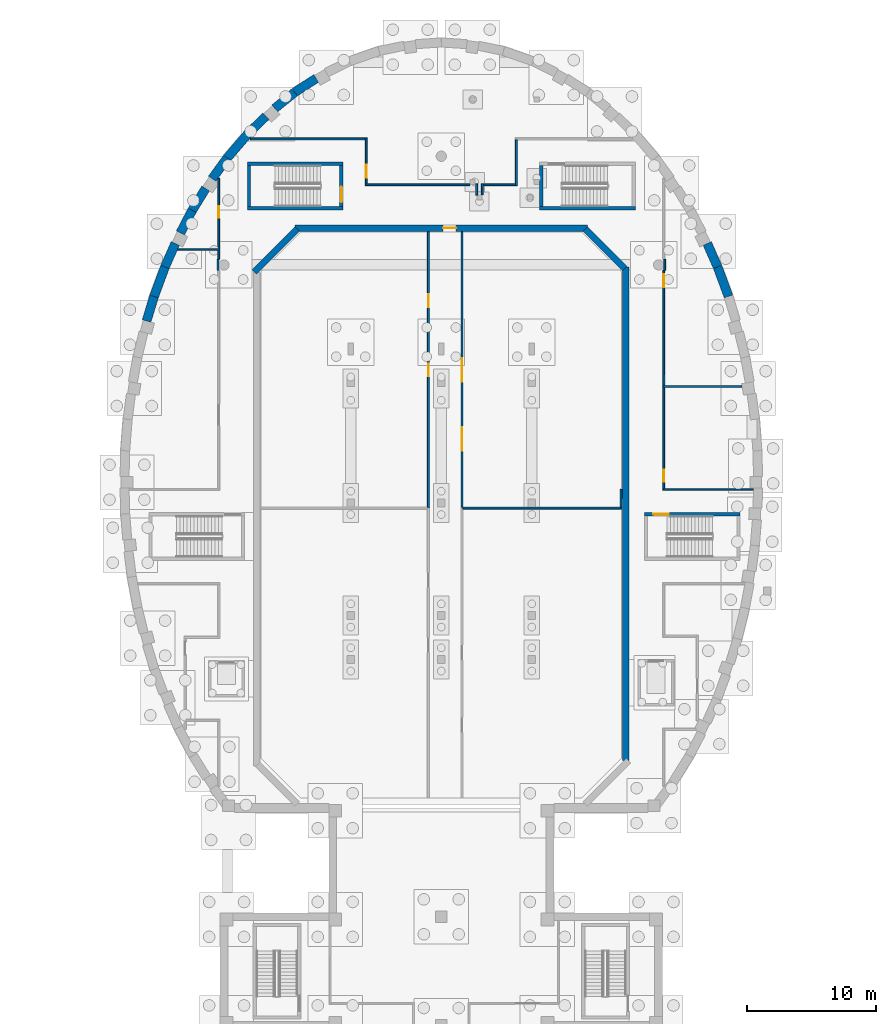
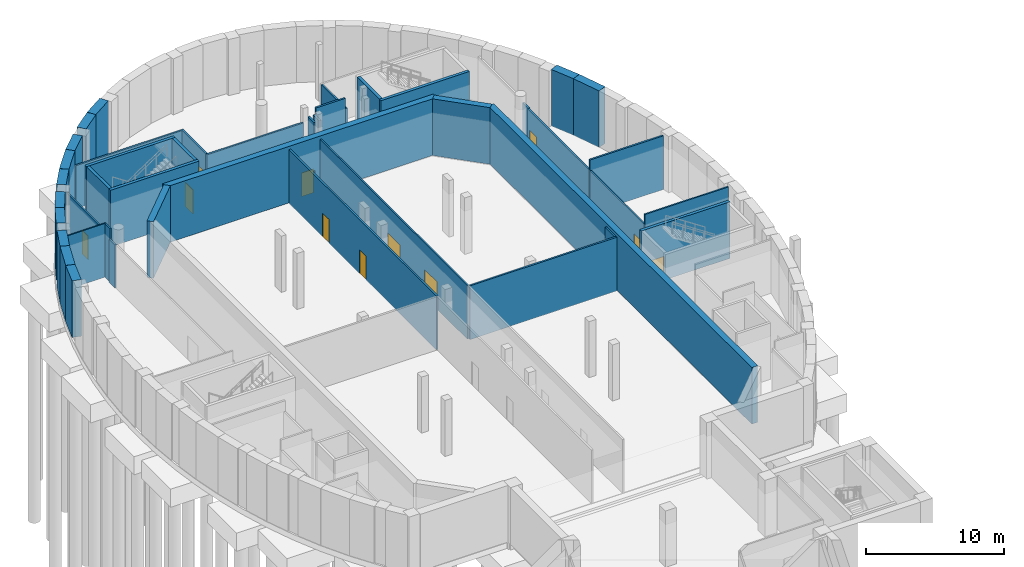
# One storey, part 15 of 33: 43 walls, 11 doors, 11 openings.
"""IFC4 building model written with IfcOpenShell, lengths in metres."""

from ifc_helpers import new_model, si_unit, direction, frame, frame_2d, origin, place, context, subcontext, project, spatial, rectangle, extrude, material, layer, layer_set, type_object, element, fill, save


model = new_model("IFC4")

# Units and contexts
model_context = context("Model", 3, precision=1e-05, world=origin(), true_north=direction((0.0, 1.0)))
body_context = subcontext(model_context, "Body", "Model", "MODEL_VIEW")
ifc_project = project(units=[si_unit("LENGTHUNIT", "METRE"), si_unit("AREAUNIT", "SQUARE_METRE"), si_unit("VOLUMEUNIT", "CUBIC_METRE"), si_unit("PLANEANGLEUNIT", "RADIAN"), si_unit("MASSUNIT", "GRAM", prefix="KILO")], contexts=[model_context])

# Site, building, storey
site_placement = place(None, origin())
site = spatial("IfcSite", under=ifc_project, at=site_placement, CompositionType="ELEMENT")
building_placement = place(site_placement, origin())
building = spatial("IfcBuilding", under=site, at=building_placement, Name="Larchfold Concert Hall", CompositionType="ELEMENT")
storey_placement = place(building_placement, frame((0.0, 0.0, -5.0)))
storey = spatial("IfcBuildingStorey", under=building, at=storey_placement, Name="B1", CompositionType="ELEMENT", Elevation=-5.0)

# Wall, openings, doors
ifc_material_1 = material(Name="Plasterboard partition on steel studs", Category="steel")
ifc_layer_1 = layer(ifc_material_1, 0.125)
ifc_layer_set_1 = layer_set([ifc_layer_1], Name="Plasterboard partition on steel studs")
wall_type_1 = type_object("IfcWallType", Name="Corridor partition 125 EI 60", PredefinedType="PARTITIONING", material=ifc_layer_set_1)
wall_1_placement = place(storey_placement, frame((44.199951171875, 103.949951171875, 0.0), z_axis=(0.0, 0.0, 1.0), x_axis=(0.0, -1.0, 0.0)))
wall_1 = element("IfcWall", 1, at=wall_1_placement, inside=storey, type_object=wall_type_1, Name="Partition IW0005", PredefinedType="PARTITIONING", context=body_context, shape_type="SweptSolid", body=[
    extrude(rectangle(XDim=21.27490234375, YDim=0.125, at=frame_2d((10.637451171875, 0.0))), origin(), (0.0, 0.0, 1.0), 4.75),
])
opening_1_placement = place(wall_1_placement, frame((9.764892578125, 0.0, 0.0)))
opening_1 = element("IfcOpeningElement", 2, at=opening_1_placement, cuts=wall_1, Name="Opening D-B1-107", PredefinedType="OPENING", context=body_context, shape_type="SweptSolid", body=[
    extrude(rectangle(XDim=1.800048828125, YDim=2.39990234375, at=frame_2d((0.89990234375, 1.199951171875))), frame((0.0, 0.072509765625, 0.0), z_axis=(0.0, -1.0, 0.0), x_axis=(1.0, 0.0, 0.0)), (0.0, 0.0, 1.0), 0.14501953125),
])
opening_2_placement = place(wall_1_placement, frame((15.107421875, 0.0, 0.0)))
opening_2 = element("IfcOpeningElement", 3, at=opening_2_placement, cuts=wall_1, Name="Opening D-B1-108", PredefinedType="OPENING", context=body_context, shape_type="SweptSolid", body=[
    extrude(rectangle(XDim=1.800048828125, YDim=2.39990234375, at=frame_2d((0.89990234375, 1.199951171875))), frame((0.0, 0.072509765625, 0.0), z_axis=(0.0, -1.0, 0.0), x_axis=(1.0, 0.0, 0.0)), (0.0, 0.0, 1.0), 0.14501953125),
])
ifc_material_2 = material(Name="Timber door leaf", Category="wood")
door_type_1 = type_object("IfcDoorType", Name="Stage and workshop door pair 1800 x 2400 FD30S", OperationType="SINGLE_SWING_LEFT", PredefinedType="DOOR", material=ifc_material_2)
door_1_placement = place(opening_1_placement, origin())
door_1 = element("IfcDoor", 4, at=door_1_placement, inside=storey, type_object=door_type_1, Name="Door D-B1-107", OperationType="DOUBLE_DOOR_SINGLE_SWING", OverallHeight=2.39990234375, OverallWidth=1.800048828125, PredefinedType="DOOR", context=body_context, shape_type="SweptSolid", body=[
    extrude(rectangle(XDim=1.800048828125, YDim=2.39990234375, at=frame_2d((0.89990234375, 1.199951171875))), frame((0.0, 0.02490234375, 0.0), z_axis=(0.0, -1.0, 0.0), x_axis=(1.0, 0.0, 0.0)), (0.0, 0.0, 1.0), 0.050048828125),
])
fill(opening_1, door_1)
door_2_placement = place(opening_2_placement, origin())
door_2 = element("IfcDoor", 5, at=door_2_placement, inside=storey, type_object=door_type_1, Name="Door D-B1-108", OperationType="DOUBLE_DOOR_SINGLE_SWING", OverallHeight=2.39990234375, OverallWidth=1.800048828125, PredefinedType="DOOR", context=body_context, shape_type="SweptSolid", body=[
    extrude(rectangle(XDim=1.800048828125, YDim=2.39990234375, at=frame_2d((0.89990234375, 1.199951171875))), frame((0.0, 0.02490234375, 0.0), z_axis=(0.0, -1.0, 0.0), x_axis=(1.0, 0.0, 0.0)), (0.0, 0.0, 1.0), 0.050048828125),
])
fill(opening_2, door_2)

# Wall
wall_2_placement = place(storey_placement, frame((66.736083984375, 84.050048828125, 0.0), z_axis=(0.0, 0.0, 1.0), x_axis=(-1.0, 0.0, 0.0)))
element("IfcWall", 6, at=wall_2_placement, inside=storey, type_object=wall_type_1, Name="Partition IW0021", PredefinedType="PARTITIONING", context=body_context, shape_type="SweptSolid", body=[
    extrude(rectangle(XDim=6.99853515625, YDim=0.125, at=frame_2d((3.499267578125, 0.0))), origin(), (0.0, 0.0, 1.0), 4.75),
])

# Wall, opening, door
wall_3_placement = place(storey_placement, frame((59.800048828125, 84.112548828125, 0.0), z_axis=(0.0, 0.0, 1.0), x_axis=(0.0, 1.0, 0.0)))
wall_3 = element("IfcWall", 7, at=wall_3_placement, inside=storey, type_object=wall_type_1, Name="Partition IW0022", PredefinedType="PARTITIONING", context=body_context, shape_type="SweptSolid", body=[
    extrude(rectangle(XDim=7.8125, YDim=0.125, at=frame_2d((3.90625, 0.0))), origin(), (0.0, 0.0, 1.0), 3.800048828125),
])
opening_3_placement = place(wall_3_placement, frame((0.53515625, 0.0, 0.0)))
opening_3 = element("IfcOpeningElement", 8, at=opening_3_placement, cuts=wall_3, Name="Opening D-B1-111", PredefinedType="OPENING", context=body_context, shape_type="SweptSolid", body=[
    extrude(rectangle(XDim=0.89990234375, YDim=2.10009765625, at=frame_2d((0.449951171875, 1.050048828125))), frame((0.0, 0.072509765625, 0.0), z_axis=(0.0, -1.0, 0.0), x_axis=(1.0, 0.0, 0.0)), (0.0, 0.0, 1.0), 0.14501953125),
])
ifc_material_3 = material(Name="Timber door leaf", Category="wood")
door_type_2 = type_object("IfcDoorType", Name="Public toilet door 900 x 2100 FD30S", OperationType="SINGLE_SWING_LEFT", PredefinedType="DOOR", material=ifc_material_3)
door_3_placement = place(opening_3_placement, origin())
door_3 = element("IfcDoor", 9, at=door_3_placement, inside=storey, type_object=door_type_2, Name="Door D-B1-111", OperationType="SINGLE_SWING_LEFT", OverallHeight=2.10009765625, OverallWidth=0.89990234375, PredefinedType="DOOR", context=body_context, shape_type="SweptSolid", body=[
    extrude(rectangle(XDim=0.89990234375, YDim=2.10009765625, at=frame_2d((0.449951171875, 1.050048828125))), frame((0.0, 0.02490234375, 0.0), z_axis=(0.0, -1.0, 0.0), x_axis=(1.0, 0.0, 0.0)), (0.0, 0.0, 1.0), 0.050048828125),
])
fill(opening_3, door_3)

# Wall
wall_4_placement = place(storey_placement, frame((25.39892578125, 102.550048828125, 0.0), z_axis=(0.0, 0.0, 1.0), x_axis=(0.0, -1.0, 0.0)))
element("IfcWall", 10, at=wall_4_placement, inside=storey, type_object=wall_type_1, Name="Partition IW0026", PredefinedType="PARTITIONING", context=body_context, shape_type="SweptSolid", body=[
    extrude(rectangle(XDim=0.730224609375, YDim=0.125, at=frame_2d((0.365234375, 0.0))), origin(), (0.0, 0.0, 1.0), 4.75),
])

# Wall, opening, door
wall_5_placement = place(storey_placement, frame((25.39990234375, 108.10595703125, 0.0), z_axis=(0.0, 0.0, 1.0), x_axis=(0.0, -1.0, 0.0)))
wall_5 = element("IfcWall", 11, at=wall_5_placement, inside=storey, type_object=wall_type_1, Name="Partition IW0029", PredefinedType="PARTITIONING", context=body_context, shape_type="SweptSolid", body=[
    extrude(rectangle(XDim=5.4560546875, YDim=0.125, at=frame_2d((2.72802734375, 0.0))), origin(), (0.0, 0.0, 1.0), 4.099853515625),
])
opening_4_placement = place(wall_5_placement, frame((2.165771484375, 0.0, 0.0)))
opening_4 = element("IfcOpeningElement", 12, at=opening_4_placement, cuts=wall_5, Name="Opening D-B1-114", PredefinedType="OPENING", context=body_context, shape_type="SweptSolid", body=[
    extrude(rectangle(XDim=0.89990234375, YDim=2.10009765625, at=frame_2d((0.449951171875, 1.050048828125))), frame((0.0, 0.072509765625, 0.0), z_axis=(0.0, -1.0, 0.0), x_axis=(1.0, 0.0, 0.0)), (0.0, 0.0, 1.0), 0.14501953125),
])
door_4_placement = place(opening_4_placement, origin())
door_4 = element("IfcDoor", 13, at=door_4_placement, inside=storey, type_object=door_type_2, Name="Door D-B1-114", OperationType="SINGLE_SWING_LEFT", OverallHeight=2.10009765625, OverallWidth=0.89990234375, PredefinedType="DOOR", context=body_context, shape_type="SweptSolid", body=[
    extrude(rectangle(XDim=0.89990234375, YDim=2.10009765625, at=frame_2d((0.449951171875, 1.050048828125))), frame((0.0, 0.02490234375, 0.0), z_axis=(0.0, -1.0, 0.0), x_axis=(1.0, 0.0, 0.0)), (0.0, 0.0, 1.0), 0.050048828125),
])
fill(opening_4, door_4)

# Walls
wall_6_placement = place(storey_placement, frame((25.333984375, 101.81982421875, 0.0), z_axis=(0.0, 0.0, 1.0), x_axis=(0.000290697662, -0.999999957747, 0.0)))
element("IfcWall", 14, at=wall_6_placement, inside=storey, type_object=wall_type_1, Name="Partition IW0148", PredefinedType="PARTITIONING", context=body_context, shape_type="SweptSolid", body=[
    extrude(rectangle(XDim=0.83984375, YDim=0.125, at=frame_2d((0.419921875, 0.0))), origin(), (0.0, 0.0, 1.0), 3.800048828125),
])
ifc_material_4 = material(Name="Plasterboard partition on steel studs", Category="steel")
ifc_layer_2 = layer(ifc_material_4, 0.14990234375)
ifc_layer_set_2 = layer_set([ifc_layer_2], Name="Plasterboard partition on steel studs")
wall_type_2 = type_object("IfcWallType", Name="Shaft and plant partition 150 EI 120", PredefinedType="PARTITIONING", material=ifc_layer_set_2)
wall_7_placement = place(storey_placement, frame((44.27490234375, 82.60009765625, 0.0), z_axis=(0.0, 0.0, 1.0), x_axis=(0.999999995068, -9.9316701e-05, 0.0)))
element("IfcWall", 15, at=wall_7_placement, inside=storey, type_object=wall_type_2, Name="Partition IW0002", PredefinedType="PARTITIONING", context=body_context, shape_type="SweptSolid", body=[
    extrude(rectangle(XDim=12.291015625, YDim=0.14990234375, at=frame_2d((6.1455078125, 0.0))), origin(), (0.0, 0.0, 1.0), 4.75),
])
wall_8_placement = place(storey_placement, frame((56.491455078125, 82.674072265625, 0.0), z_axis=(0.0, 0.0, 1.0), x_axis=(0.006924549889, 0.999976025017, 0.0)))
element("IfcWall", 16, at=wall_8_placement, inside=storey, type_object=wall_type_2, Name="Partition IW0003", PredefinedType="PARTITIONING", context=body_context, shape_type="SweptSolid", body=[
    extrude(rectangle(XDim=1.375, YDim=0.14990234375, at=frame_2d((0.6875, 0.0))), origin(), (0.0, 0.0, 1.0), 4.75),
])

# Wall, openings, doors
wall_9_placement = place(storey_placement, frame((41.60009765625, 82.6201171875, 0.0), z_axis=(0.0, 0.0, 1.0), x_axis=(0.0, 1.0, 0.0)))
wall_9 = element("IfcWall", 17, at=wall_9_placement, inside=storey, type_object=wall_type_2, Name="Partition IW0006", PredefinedType="PARTITIONING", context=body_context, shape_type="SweptSolid", body=[
    extrude(rectangle(XDim=21.329833984375, YDim=0.14990234375, at=frame_2d((10.6650390625, 0.0))), origin(), (0.0, 0.0, 1.0), 4.75),
])
opening_5_placement = place(wall_9_placement, frame((10.155029296875, 0.0, 0.0)))
opening_5 = element("IfcOpeningElement", 18, at=opening_5_placement, cuts=wall_9, Name="Opening D-B1-109", PredefinedType="OPENING", context=body_context, shape_type="SweptSolid", body=[
    extrude(rectangle(XDim=1.0, YDim=2.10009765625, at=frame_2d((0.5, 1.050048828125))), frame((0.0, 0.0849609375, 0.0), z_axis=(0.0, -1.0, 0.0), x_axis=(1.0, 0.0, 0.0)), (0.0, 0.0, 1.0), 0.169921875),
])
opening_6_placement = place(wall_9_placement, frame((15.50244140625, 0.0, 0.0)))
opening_6 = element("IfcOpeningElement", 19, at=opening_6_placement, cuts=wall_9, Name="Opening D-B1-110", PredefinedType="OPENING", context=body_context, shape_type="SweptSolid", body=[
    extrude(rectangle(XDim=1.0, YDim=2.10009765625, at=frame_2d((0.5, 1.050048828125))), frame((0.0, 0.0849609375, 0.0), z_axis=(0.0, -1.0, 0.0), x_axis=(1.0, 0.0, 0.0)), (0.0, 0.0, 1.0), 0.169921875),
])
ifc_material_5 = material(Name="Timber door leaf", Category="wood")
door_type_3 = type_object("IfcDoorType", Name="Plant room door 1000 x 2100 FD60", OperationType="SINGLE_SWING_LEFT", PredefinedType="DOOR", material=ifc_material_5)
door_5_placement = place(opening_5_placement, origin())
door_5 = element("IfcDoor", 20, at=door_5_placement, inside=storey, type_object=door_type_3, Name="Door D-B1-109", OperationType="SINGLE_SWING_RIGHT", OverallHeight=2.10009765625, OverallWidth=1.0, PredefinedType="DOOR", context=body_context, shape_type="SweptSolid", body=[
    extrude(rectangle(XDim=1.0, YDim=2.10009765625, at=frame_2d((0.5, 1.050048828125))), frame((0.0, 0.02490234375, 0.0), z_axis=(0.0, -1.0, 0.0), x_axis=(1.0, 0.0, 0.0)), (0.0, 0.0, 1.0), 0.050048828125),
])
fill(opening_5, door_5)
door_6_placement = place(opening_6_placement, origin())
door_6 = element("IfcDoor", 21, at=door_6_placement, inside=storey, type_object=door_type_3, Name="Door D-B1-110", OperationType="SINGLE_SWING_RIGHT", OverallHeight=2.10009765625, OverallWidth=1.0, PredefinedType="DOOR", context=body_context, shape_type="SweptSolid", body=[
    extrude(rectangle(XDim=1.0, YDim=2.10009765625, at=frame_2d((0.5, 1.050048828125))), frame((0.0, 0.02490234375, 0.0), z_axis=(0.0, -1.0, 0.0), x_axis=(1.0, 0.0, 0.0)), (0.0, 0.0, 1.0), 0.050048828125),
])
fill(opening_6, door_6)

# Wall
wall_10_placement = place(storey_placement, frame((59.737548828125, 92.0, 0.0), z_axis=(0.0, 0.0, 1.0), x_axis=(1.0, 0.0, 0.0)))
element("IfcWall", 22, at=wall_10_placement, inside=storey, type_object=wall_type_2, Name="Partition IW0020", PredefinedType="PARTITIONING", context=body_context, shape_type="SweptSolid", body=[
    extrude(rectangle(XDim=6.1279296875, YDim=0.14990234375, at=frame_2d((3.06396484375, 0.0))), origin(), (0.0, 0.0, 1.0), 4.75),
])

# Wall, opening, door
wall_11_placement = place(storey_placement, frame((59.801025390625, 92.074951171875, 0.0), z_axis=(0.0, 0.0, 1.0), x_axis=(-5.4832077e-05, 0.999999998497, 0.0)))
wall_11 = element("IfcWall", 23, at=wall_11_placement, inside=storey, type_object=wall_type_2, Name="Partition IW0023", PredefinedType="PARTITIONING", context=body_context, shape_type="SweptSolid", body=[
    extrude(rectangle(XDim=8.905029296875, YDim=0.14990234375, at=frame_2d((4.45263671875, 0.0))), origin(), (0.0, 0.0, 1.0), 3.800048828125),
])
opening_7_placement = place(wall_11_placement, frame((7.615478515625, 0.0, 0.0)))
opening_7 = element("IfcOpeningElement", 24, at=opening_7_placement, cuts=wall_11, Name="Opening D-B1-112", PredefinedType="OPENING", context=body_context, shape_type="SweptSolid", body=[
    extrude(rectangle(XDim=1.0, YDim=2.10009765625, at=frame_2d((0.5, 1.050048828125))), frame((0.0, 0.0849609375, 0.0), z_axis=(0.0, -1.0, 0.0), x_axis=(1.0, 0.0, 0.0)), (0.0, 0.0, 1.0), 0.169921875),
])
door_7_placement = place(opening_7_placement, origin())
door_7 = element("IfcDoor", 25, at=door_7_placement, inside=storey, type_object=door_type_3, Name="Door D-B1-112", OperationType="SINGLE_SWING_RIGHT", OverallHeight=2.10009765625, OverallWidth=1.0, PredefinedType="DOOR", context=body_context, shape_type="SweptSolid", body=[
    extrude(rectangle(XDim=1.0, YDim=2.10009765625, at=frame_2d((0.5, 1.050048828125))), frame((0.0, 0.02490234375, 0.0), z_axis=(0.0, -1.0, 0.0), x_axis=(1.0, 0.0, 0.0)), (0.0, 0.0, 1.0), 0.050048828125),
])
fill(opening_7, door_7)

# Walls
wall_12_placement = place(storey_placement, frame((45.7705078125, 107.674072265625, 0.0), z_axis=(0.0, 0.0, 1.0), x_axis=(-0.006235706426, -0.999980557794, 0.0)))
element("IfcWall", 26, at=wall_12_placement, inside=storey, type_object=wall_type_2, Name="Partition IW0030", PredefinedType="PARTITIONING", context=body_context, shape_type="SweptSolid", body=[
    extrude(rectangle(XDim=0.861328125, YDim=0.14990234375, at=frame_2d((0.4306640625, 0.0))), origin(), (0.0, 0.0, 1.0), 4.099853515625),
])
wall_13_placement = place(storey_placement, frame((45.330078125, 106.802734375, 0.0), z_axis=(0.0, 0.0, 1.0), x_axis=(0.0, 1.0, 0.0)))
element("IfcWall", 27, at=wall_13_placement, inside=storey, type_object=wall_type_2, Name="Partition IW0031", PredefinedType="PARTITIONING", context=body_context, shape_type="SweptSolid", body=[
    extrude(rectangle(XDim=0.872314453125, YDim=0.14990234375, at=frame_2d((0.43603515625, 0.0))), origin(), (0.0, 0.0, 1.0), 4.099853515625),
])
wall_14_placement = place(storey_placement, frame((44.809326171875, 107.60009765625, 0.0), z_axis=(0.0, 0.0, 1.0), x_axis=(-1.0, 0.0, 0.0)))
element("IfcWall", 28, at=wall_14_placement, inside=storey, type_object=wall_type_2, Name="Partition IW0032", PredefinedType="PARTITIONING", context=body_context, shape_type="SweptSolid", body=[
    extrude(rectangle(XDim=8.084228515625, YDim=0.14990234375, at=frame_2d((4.0419921875, 0.0))), origin(), (0.0, 0.0, 1.0), 3.800048828125),
])

# Wall, opening, door
wall_15_placement = place(storey_placement, frame((36.800048828125, 107.675048828125, 0.0), z_axis=(0.0, 0.0, 1.0), x_axis=(0.0, 1.0, 0.0)))
wall_15 = element("IfcWall", 29, at=wall_15_placement, inside=storey, type_object=wall_type_2, Name="Partition IW0033", PredefinedType="PARTITIONING", context=body_context, shape_type="SweptSolid", body=[
    extrude(rectangle(XDim=3.550048828125, YDim=0.14990234375, at=frame_2d((1.77490234375, 0.0))), origin(), (0.0, 0.0, 1.0), 3.800048828125),
])
opening_8_placement = place(wall_15_placement, frame((0.478759765625, 0.0, 0.0)))
opening_8 = element("IfcOpeningElement", 30, at=opening_8_placement, cuts=wall_15, Name="Opening D-B1-115", PredefinedType="OPENING", context=body_context, shape_type="SweptSolid", body=[
    extrude(rectangle(XDim=1.0, YDim=2.10009765625, at=frame_2d((0.5, 1.050048828125))), frame((0.0, 0.0849609375, 0.0), z_axis=(0.0, -1.0, 0.0), x_axis=(1.0, 0.0, 0.0)), (0.0, 0.0, 1.0), 0.169921875),
])
door_8_placement = place(opening_8_placement, origin())
door_8 = element("IfcDoor", 31, at=door_8_placement, inside=storey, type_object=door_type_3, Name="Door D-B1-115", OperationType="SINGLE_SWING_RIGHT", OverallHeight=2.10009765625, OverallWidth=1.0, PredefinedType="DOOR", context=body_context, shape_type="SweptSolid", body=[
    extrude(rectangle(XDim=1.0, YDim=2.10009765625, at=frame_2d((0.5, 1.050048828125))), frame((0.0, 0.02490234375, 0.0), z_axis=(0.0, -1.0, 0.0), x_axis=(1.0, 0.0, 0.0)), (0.0, 0.0, 1.0), 0.050048828125),
])
fill(opening_8, door_8)

# Walls
wall_16_placement = place(storey_placement, frame((36.72509765625, 111.14990234375, 0.0), z_axis=(0.0, 0.0, 1.0), x_axis=(-1.0, 0.0, 0.0)))
element("IfcWall", 32, at=wall_16_placement, inside=storey, type_object=wall_type_2, Name="Partition IW0034", PredefinedType="PARTITIONING", context=body_context, shape_type="SweptSolid", body=[
    extrude(rectangle(XDim=8.89306640625, YDim=0.14990234375, at=frame_2d((4.446533203125, 0.0))), origin(), (0.0, 0.0, 1.0), 3.800048828125),
])
wall_17_placement = place(storey_placement, frame((48.39990234375, 111.074951171875, 0.0), z_axis=(0.0, 0.0, 1.0), x_axis=(0.0, -1.0, 0.0)))
element("IfcWall", 33, at=wall_17_placement, inside=storey, type_object=wall_type_2, Name="Partition IW0036", PredefinedType="PARTITIONING", context=body_context, shape_type="SweptSolid", body=[
    extrude(rectangle(XDim=3.550048828125, YDim=0.14990234375, at=frame_2d((1.77490234375, 0.0))), origin(), (0.0, 0.0, 1.0), 3.800048828125),
])
wall_18_placement = place(storey_placement, frame((48.324951171875, 107.599853515625, 0.0), z_axis=(0.0, 0.0, 1.0), x_axis=(-0.999999956389, -0.000295333714, 0.0)))
element("IfcWall", 34, at=wall_18_placement, inside=storey, type_object=wall_type_2, Name="Partition IW0037", PredefinedType="PARTITIONING", context=body_context, shape_type="SweptSolid", body=[
    extrude(rectangle(XDim=2.47998046875, YDim=0.14990234375, at=frame_2d((1.239990234375, 0.0))), origin(), (0.0, 0.0, 1.0), 4.75),
])
wall_19_placement = place(storey_placement, frame((59.87548828125, 100.97998046875, 0.0), z_axis=(0.0, 0.0, 1.0), x_axis=(-0.000290697662, 0.999999957747, 0.0)))
element("IfcWall", 35, at=wall_19_placement, inside=storey, type_object=wall_type_2, Name="Partition IW0147", PredefinedType="PARTITIONING", context=body_context, shape_type="SweptSolid", body=[
    extrude(rectangle(XDim=0.83984375, YDim=0.14990234375, at=frame_2d((0.419921875, 0.0))), origin(), (0.0, 0.0, 1.0), 3.800048828125),
])
ifc_material_6 = material(Name="Plasterboard partition on steel studs", Category="steel")
ifc_layer_3 = layer(ifc_material_6, 0.10009765625)
ifc_layer_set_3 = layer_set([ifc_layer_3], Name="Plasterboard partition on steel studs")
wall_type_3 = type_object("IfcWallType", Name="Stud partition 100", PredefinedType="PARTITIONING", material=ifc_layer_set_3)
wall_20_placement = place(storey_placement, frame((22.23388671875, 102.60009765625, 0.0), z_axis=(0.0, 0.0, 1.0), x_axis=(1.0, 0.0, 0.0)))
element("IfcWall", 36, at=wall_20_placement, inside=storey, type_object=wall_type_3, Name="Partition IW0025", PredefinedType="PARTITIONING", context=body_context, shape_type="SweptSolid", body=[
    extrude(rectangle(XDim=3.2275390625, YDim=0.10009765625, at=frame_2d((1.61376953125, 0.0))), origin(), (0.0, 0.0, 1.0), 4.75),
])
ifc_material_7 = material(Name="Concrete C40/50", Category="concrete")
ifc_layer_4 = layer(ifc_material_7, 0.25)
ifc_layer_set_4 = layer_set([ifc_layer_4], Name="Concrete C40/50")
wall_type_4 = type_object("IfcWallType", Name="Wall RC 250 stair core", PredefinedType="SOLIDWALL", material=ifc_layer_set_4)
wall_21_placement = place(storey_placement, frame((50.199951171875, 105.77490234375, 0.0), z_axis=(0.0, 0.0, 1.0), x_axis=(1.0, 0.0, 0.0)))
element("IfcWall", 37, at=wall_21_placement, inside=storey, type_object=wall_type_4, Name="Wall W0120", PredefinedType="SOLIDWALL", context=body_context, shape_type="SweptSolid", body=[
    extrude(rectangle(XDim=7.400146484375, YDim=0.25, at=frame_2d((3.7001953125, 0.0))), origin(), (0.0, 0.0, 1.0), 5.0),
])
wall_22_placement = place(storey_placement, frame((50.324951171875, 105.89990234375, 0.0), z_axis=(0.0, 0.0, 1.0), x_axis=(0.0, 1.0, 0.0)))
element("IfcWall", 38, at=wall_22_placement, inside=storey, type_object=wall_type_4, Name="Wall W0122", PredefinedType="SOLIDWALL", context=body_context, shape_type="SweptSolid", body=[
    extrude(rectangle(XDim=3.2001953125, YDim=0.25, at=frame_2d((1.60009765625, 0.0))), origin(), (0.0, 0.0, 1.0), 5.0),
])
for number, where, z_axis, x_axis, name in (
    (39, (27.60009765625, 105.77490234375, 0.0), (0.0, 0.0, 1.0), (1.0, 0.0, 0.0), "Wall W0124"),
    (40, (27.60009765625, 109.22509765625, 0.0), (0.0, 0.0, 1.0), (1.0, 0.0, 0.0), "Wall W0125"),
):
    element("IfcWall", number, at=place(storey_placement, frame(where, z_axis=z_axis, x_axis=x_axis)), inside=storey, type_object=wall_type_4, Name=name, PredefinedType="SOLIDWALL", context=body_context, shape_type="SweptSolid", body=[
        extrude(rectangle(XDim=7.39990234375, YDim=0.25, at=frame_2d((3.699951171875, 0.0))), origin(), (0.0, 0.0, 1.0), 5.0),
    ])
wall_23_placement = place(storey_placement, frame((27.72509765625, 105.89990234375, 0.0), z_axis=(0.0, 0.0, 1.0), x_axis=(0.0, 1.0, 0.0)))
element("IfcWall", 41, at=wall_23_placement, inside=storey, type_object=wall_type_4, Name="Wall W0126", PredefinedType="SOLIDWALL", context=body_context, shape_type="SweptSolid", body=[
    extrude(rectangle(XDim=3.2001953125, YDim=0.25, at=frame_2d((1.60009765625, 0.0))), origin(), (0.0, 0.0, 1.0), 5.0),
])

# Wall, opening, door
wall_24_placement = place(storey_placement, frame((34.875, 105.89990234375, 0.0), z_axis=(0.0, 0.0, 1.0), x_axis=(0.0, 1.0, 0.0)))
wall_24 = element("IfcWall", 42, at=wall_24_placement, inside=storey, type_object=wall_type_4, Name="Wall W0127", PredefinedType="SOLIDWALL", context=body_context, shape_type="SweptSolid", body=[
    extrude(rectangle(XDim=3.2001953125, YDim=0.25, at=frame_2d((1.60009765625, 0.0))), origin(), (0.0, 0.0, 1.0), 5.0),
])
opening_9_placement = place(wall_24_placement, frame((0.35009765625, 0.0, 0.0)))
opening_9 = element("IfcOpeningElement", 43, at=opening_9_placement, cuts=wall_24, Name="Opening D-B1-148", PredefinedType="OPENING", context=body_context, shape_type="SweptSolid", body=[
    extrude(rectangle(XDim=1.199951171875, YDim=2.10009765625, at=frame_2d((0.60009765625, 1.050048828125))), frame((0.0, 0.135009765625, 0.0), z_axis=(0.0, -1.0, 0.0), x_axis=(1.0, 0.0, 0.0)), (0.0, 0.0, 1.0), 0.27001953125),
])
ifc_material_8 = material(Name="Timber door leaf", Category="wood")
door_type_4 = type_object("IfcDoorType", Name="Stair enclosure door pair 1200 x 2100 FD60", OperationType="SINGLE_SWING_LEFT", PredefinedType="DOOR", material=ifc_material_8)
door_9_placement = place(opening_9_placement, origin())
door_9 = element("IfcDoor", 44, at=door_9_placement, inside=storey, type_object=door_type_4, Name="Door D-B1-148", OperationType="DOUBLE_DOOR_SINGLE_SWING", OverallHeight=2.10009765625, OverallWidth=1.199951171875, PredefinedType="DOOR", context=body_context, shape_type="SweptSolid", body=[
    extrude(rectangle(XDim=1.199951171875, YDim=2.10009765625, at=frame_2d((0.60009765625, 1.050048828125))), frame((0.0, 0.02490234375, 0.0), z_axis=(0.0, -1.0, 0.0), x_axis=(1.0, 0.0, 0.0)), (0.0, 0.0, 1.0), 0.050048828125),
])
fill(opening_9, door_9)

wall_25_placement = place(storey_placement, frame((58.300048828125, 82.125, 0.0), z_axis=(0.0, 0.0, 1.0), x_axis=(1.0, 0.0, 0.0)))
wall_25 = element("IfcWall", 45, at=wall_25_placement, inside=storey, type_object=wall_type_4, Name="Wall W0133", PredefinedType="SOLIDWALL", context=body_context, shape_type="SweptSolid", body=[
    extrude(rectangle(XDim=7.39990234375, YDim=0.25, at=frame_2d((3.699951171875, 0.0))), origin(), (0.0, 0.0, 1.0), 5.0),
])
opening_10_placement = place(wall_25_placement, frame((0.699951171875, 0.0, 0.0)))
opening_10 = element("IfcOpeningElement", 46, at=opening_10_placement, cuts=wall_25, Name="Opening D-B1-147", PredefinedType="OPENING", context=body_context, shape_type="SweptSolid", body=[
    extrude(rectangle(XDim=1.199951171875, YDim=2.10009765625, at=frame_2d((0.60009765625, 1.050048828125))), frame((0.0, 0.135009765625, 0.0), z_axis=(0.0, -1.0, 0.0), x_axis=(1.0, 0.0, 0.0)), (0.0, 0.0, 1.0), 0.27001953125),
])
door_10_placement = place(opening_10_placement, origin())
door_10 = element("IfcDoor", 47, at=door_10_placement, inside=storey, type_object=door_type_4, Name="Door D-B1-147", OperationType="DOUBLE_DOOR_SINGLE_SWING", OverallHeight=2.10009765625, OverallWidth=1.199951171875, PredefinedType="DOOR", context=body_context, shape_type="SweptSolid", body=[
    extrude(rectangle(XDim=1.199951171875, YDim=2.10009765625, at=frame_2d((0.60009765625, 1.050048828125))), frame((0.0, 0.02490234375, 0.0), z_axis=(0.0, -1.0, 0.0), x_axis=(1.0, 0.0, 0.0)), (0.0, 0.0, 1.0), 0.050048828125),
])
fill(opening_10, door_10)

# Walls
ifc_material_9 = material(Name="Concrete C40/50", Category="concrete")
ifc_layer_5 = layer(ifc_material_9, 0.5)
ifc_layer_set_5 = layer_set([ifc_layer_5], Name="Concrete C40/50")
wall_type_5 = type_object("IfcWallType", Name="Wall RC 500 hall shell", PredefinedType="SOLIDWALL", material=ifc_layer_set_5)
wall_26_placement = place(storey_placement, frame((56.85009765625, 63.10009765625, 0.0), z_axis=(0.0, 0.0, 1.0), x_axis=(0.0, 1.0, 0.0)))
element("IfcWall", 48, at=wall_26_placement, inside=storey, type_object=wall_type_5, Name="Wall W0002", PredefinedType="SOLIDWALL", context=body_context, shape_type="SweptSolid", body=[
    extrude(rectangle(XDim=38.151123046875, YDim=0.5, at=frame_2d((19.07568359375, 0.0))), origin(), (0.0, 0.0, 1.0), 5.0),
])
wall_27_placement = place(storey_placement, frame((56.77734375, 101.122802734375, 0.0), z_axis=(0.0, 0.0, 1.0), x_axis=(-0.707106781187, 0.707106781187, 0.0)))
element("IfcWall", 49, at=wall_27_placement, inside=storey, type_object=wall_type_5, Name="Wall W0003", PredefinedType="SOLIDWALL", context=body_context, shape_type="SweptSolid", body=[
    extrude(rectangle(XDim=4.319580078125, YDim=0.5, at=frame_2d((2.15966796875, 0.0))), origin(), (0.0, 0.0, 1.0), 5.0),
])

# Wall, opening, door
wall_28_placement = place(storey_placement, frame((53.89990234375, 104.25, 0.0), z_axis=(0.0, 0.0, 1.0), x_axis=(-1.0, 0.0, 0.0)))
wall_28 = element("IfcWall", 50, at=wall_28_placement, inside=storey, type_object=wall_type_5, Name="Wall W0004", PredefinedType="SOLIDWALL", context=body_context, shape_type="SweptSolid", body=[
    extrude(rectangle(XDim=22.599853515625, YDim=0.5, at=frame_2d((11.2998046875, 0.0))), origin(), (0.0, 0.0, 1.0), 5.0),
])
opening_11_placement = place(wall_28_placement, frame((10.149658203125, 0.0, 0.0)))
opening_11 = element("IfcOpeningElement", 51, at=opening_11_placement, cuts=wall_28, Name="Opening D-B1-102", PredefinedType="OPENING", context=body_context, shape_type="SweptSolid", body=[
    extrude(rectangle(XDim=1.0, YDim=2.10009765625, at=frame_2d((0.5, 1.050048828125))), frame((0.0, 0.260009765625, 0.0), z_axis=(0.0, -1.0, 0.0), x_axis=(1.0, 0.0, 0.0)), (0.0, 0.0, 1.0), 0.52001953125),
])
ifc_material_10 = material(Name="Timber door leaf", Category="wood")
door_type_5 = type_object("IfcDoorType", Name="Room door 1000 x 2100 FD30S", OperationType="SINGLE_SWING_LEFT", PredefinedType="DOOR", material=ifc_material_10)
door_11_placement = place(opening_11_placement, origin())
door_11 = element("IfcDoor", 52, at=door_11_placement, inside=storey, type_object=door_type_5, Name="Door D-B1-102", OperationType="SINGLE_SWING_RIGHT", OverallHeight=2.10009765625, OverallWidth=1.0, PredefinedType="DOOR", context=body_context, shape_type="SweptSolid", body=[
    extrude(rectangle(XDim=1.0, YDim=2.10009765625, at=frame_2d((0.5, 1.050048828125))), frame((0.0, 0.02490234375, 0.0), z_axis=(0.0, -1.0, 0.0), x_axis=(1.0, 0.0, 0.0)), (0.0, 0.0, 1.0), 0.050048828125),
])
fill(opening_11, door_11)

# Walls
wall_29_placement = place(storey_placement, frame((31.477294921875, 104.17724609375, 0.0), z_axis=(0.0, 0.0, 1.0), x_axis=(-0.707106781187, -0.707106781187, 0.0)))
element("IfcWall", 53, at=wall_29_placement, inside=storey, type_object=wall_type_5, Name="Wall W0005", PredefinedType="SOLIDWALL", context=body_context, shape_type="SweptSolid", body=[
    extrude(rectangle(XDim=4.720458984375, YDim=0.5, at=frame_2d((2.3603515625, 0.0))), origin(), (0.0, 0.0, 1.0), 5.0),
])
ifc_material_11 = material(Name="Concrete C30/37", Category="concrete")
ifc_layer_6 = layer(ifc_material_11, 0.699951171875)
ifc_layer_set_6 = layer_set([ifc_layer_6], Name="Concrete C30/37")
wall_type_6 = type_object("IfcWallType", Name="Wall RC 700 retaining wall", PredefinedType="SOLIDWALL", material=ifc_layer_set_6)
wall_30_placement = place(storey_placement, frame((19.816162109375, 97.06201171875, 0.0), z_axis=(0.0, 0.0, 1.0), x_axis=(0.29059832342, 0.956845136072, 0.0)))
element("IfcWall", 54, at=wall_30_placement, inside=storey, type_object=wall_type_6, Name="Wall W0044", PredefinedType="SOLIDWALL", context=body_context, shape_type="SweptSolid", body=[
    extrude(rectangle(XDim=1.983642578125, YDim=0.699951171875, at=frame_2d((0.99169921875, 0.0))), origin(), (0.0, 0.0, 1.0), 5.0),
])
wall_31_placement = place(storey_placement, frame((20.392578125, 98.96044921875, 0.0), z_axis=(0.0, 0.0, 1.0), x_axis=(0.346644383813, 0.937996626417, 0.0)))
element("IfcWall", 55, at=wall_31_placement, inside=storey, type_object=wall_type_6, Name="Wall W0045", PredefinedType="SOLIDWALL", context=body_context, shape_type="SweptSolid", body=[
    extrude(rectangle(XDim=2.433349609375, YDim=0.699951171875, at=frame_2d((1.216796875, 0.0))), origin(), (0.0, 0.0, 1.0), 5.0),
])
for number, where, z_axis, x_axis, name in (
    (56, (21.236083984375, 101.243408203125, 0.0), (0.0, 0.0, 1.0), (0.404161453018, 0.914687662481, 0.0), "Wall W0046"),
    (57, (22.427978515625, 103.868408203125, 0.0), (0.0, 0.0, 1.0), (0.46324322227, 0.886231187118, 0.0), "Wall W0047"),
):
    element("IfcWall", number, at=place(storey_placement, frame(where, z_axis=z_axis, x_axis=x_axis)), inside=storey, type_object=wall_type_6, Name=name, PredefinedType="SOLIDWALL", context=body_context, shape_type="SweptSolid", body=[
        extrude(rectangle(XDim=1.983154296875, YDim=0.699951171875, at=frame_2d((0.99169921875, 0.0))), origin(), (0.0, 0.0, 1.0), 5.0),
    ])
wall_32_placement = place(storey_placement, frame((23.3466796875, 105.62646484375, 0.0), z_axis=(0.0, 0.0, 1.0), x_axis=(0.52413177267, 0.851637179131, 0.0)))
element("IfcWall", 58, at=wall_32_placement, inside=storey, type_object=wall_type_6, Name="Wall W0048", PredefinedType="SOLIDWALL", context=body_context, shape_type="SweptSolid", body=[
    extrude(rectangle(XDim=1.98291015625, YDim=0.699951171875, at=frame_2d((0.991455078125, 0.0))), origin(), (0.0, 0.0, 1.0), 5.0),
])
wall_33_placement = place(storey_placement, frame((24.88623046875, 108.0634765625, 0.0), z_axis=(0.0, 0.0, 1.0), x_axis=(0.586721433945, 0.809788836024, 0.0)))
element("IfcWall", 59, at=wall_33_placement, inside=storey, type_object=wall_type_6, Name="Wall W0049", PredefinedType="SOLIDWALL", context=body_context, shape_type="SweptSolid", body=[
    extrude(rectangle(XDim=1.983154296875, YDim=0.699951171875, at=frame_2d((0.99169921875, 0.0))), origin(), (0.0, 0.0, 1.0), 5.0),
])
wall_34_placement = place(storey_placement, frame((26.050048828125, 109.669921875, 0.0), z_axis=(0.0, 0.0, 1.0), x_axis=(0.650510330903, 0.759497405781, 0.0)))
element("IfcWall", 60, at=wall_34_placement, inside=storey, type_object=wall_type_6, Name="Wall W0050", PredefinedType="SOLIDWALL", context=body_context, shape_type="SweptSolid", body=[
    extrude(rectangle(XDim=2.4326171875, YDim=0.699951171875, at=frame_2d((1.21630859375, 0.0))), origin(), (0.0, 0.0, 1.0), 5.0),
])
wall_35_placement = place(storey_placement, frame((27.633056640625, 111.51806640625, 0.0), z_axis=(0.0, 0.0, 1.0), x_axis=(0.715005301031, 0.699119030994, 0.0)))
element("IfcWall", 61, at=wall_35_placement, inside=storey, type_object=wall_type_6, Name="Wall W0051", PredefinedType="SOLIDWALL", context=body_context, shape_type="SweptSolid", body=[
    extrude(rectangle(XDim=1.982421875, YDim=0.699951171875, at=frame_2d((0.9912109375, 0.0))), origin(), (0.0, 0.0, 1.0), 5.0),
])
wall_36_placement = place(storey_placement, frame((29.7236328125, 113.50146484375, 0.0), z_axis=(0.0, 0.0, 1.0), x_axis=(0.779002881512, 0.627020343048, 0.0)))
element("IfcWall", 62, at=wall_36_placement, inside=storey, type_object=wall_type_6, Name="Wall W0052", PredefinedType="SOLIDWALL", context=body_context, shape_type="SweptSolid", body=[
    extrude(rectangle(XDim=1.982177734375, YDim=0.699951171875, at=frame_2d((0.9912109375, 0.0))), origin(), (0.0, 0.0, 1.0), 5.0),
])
wall_37_placement = place(storey_placement, frame((31.268310546875, 114.744873046875, 0.0), z_axis=(0.0, 0.0, 1.0), x_axis=(0.84051743137, 0.541784502882, 0.0)))
element("IfcWall", 63, at=wall_37_placement, inside=storey, type_object=wall_type_6, Name="Wall W0053", PredefinedType="SOLIDWALL", context=body_context, shape_type="SweptSolid", body=[
    extrude(rectangle(XDim=1.98193359375, YDim=0.699951171875, at=frame_2d((0.990966796875, 0.0))), origin(), (0.0, 0.0, 1.0), 5.0),
])
wall_38_placement = place(storey_placement, frame((63.16259765625, 103.057373046875, 0.0), z_axis=(0.0, 0.0, 1.0), x_axis=(0.404161453018, -0.914687662481, 0.0)))
element("IfcWall", 64, at=wall_38_placement, inside=storey, type_object=wall_type_6, Name="Wall W0069", PredefinedType="SOLIDWALL", context=body_context, shape_type="SweptSolid", body=[
    extrude(rectangle(XDim=1.983154296875, YDim=0.699951171875, at=frame_2d((0.99169921875, 0.0))), origin(), (0.0, 0.0, 1.0), 5.0),
])
wall_39_placement = place(storey_placement, frame((63.964111328125, 101.242919921875, 0.0), z_axis=(0.0, 0.0, 1.0), x_axis=(0.346644383813, -0.937996626417, 0.0)))
element("IfcWall", 65, at=wall_39_placement, inside=storey, type_object=wall_type_6, Name="Wall W0070", PredefinedType="SOLIDWALL", context=body_context, shape_type="SweptSolid", body=[
    extrude(rectangle(XDim=2.433349609375, YDim=0.699951171875, at=frame_2d((1.216796875, 0.0))), origin(), (0.0, 0.0, 1.0), 5.0),
])

save(model, "model.ifc")
